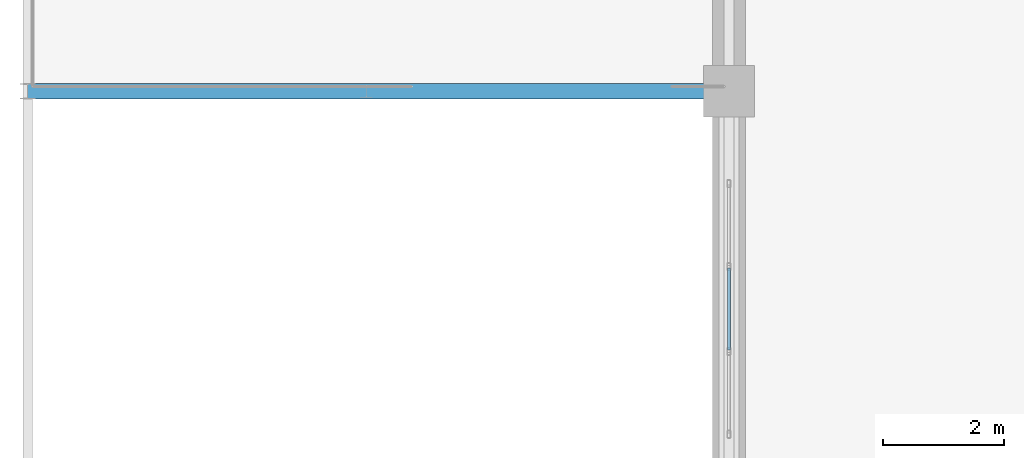
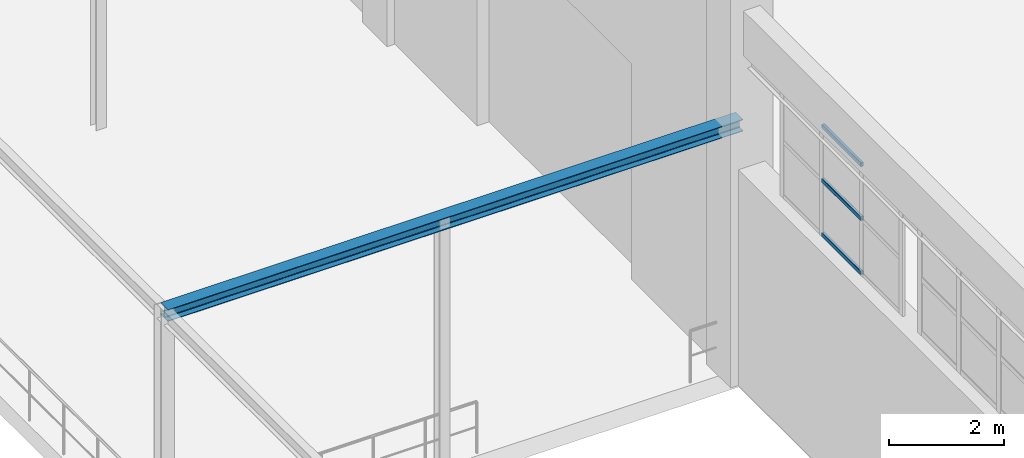
# One storey, part 44 of 97: 3 members, 1 beam, 1 element without a shape of its own.
"""IFC4 building model written with IfcOpenShell, lengths in metres."""

from ifc_helpers import new_model, si_unit, derived_unit, direction, frame, origin, origin_2d, place, context, subcontext, project, spatial, hollow_rectangle, i_section, extrude, material, layer, layer_set, material_profile, profile_set, type_object, element, aggregate, save


model = new_model("IFC4")

# Units and contexts
model_context = context("Model", 3, precision=1e-05, world=origin(), true_north=direction((0.0, 1.0)))
body_context = subcontext(model_context, "Body", "Model", "MODEL_VIEW")
ifc_project = project(units=[si_unit("LENGTHUNIT", "METRE"), si_unit("AREAUNIT", "SQUARE_METRE"), si_unit("VOLUMEUNIT", "CUBIC_METRE"), si_unit("PLANEANGLEUNIT", "RADIAN"), si_unit("MASSUNIT", "GRAM", prefix="KILO"), derived_unit("THERMALTRANSMITTANCEUNIT", [(si_unit("POWERUNIT", "WATT"), 1), (si_unit("LENGTHUNIT", "METRE"), -2), (si_unit("THERMODYNAMICTEMPERATUREUNIT", "KELVIN"), -1)])], contexts=[model_context])

# Site, building, storey
site_placement = place(None, origin())
site = spatial("IfcSite", under=ifc_project, at=site_placement, CompositionType="ELEMENT")
building_placement = place(site_placement, origin())
building = spatial("IfcBuilding", under=site, at=building_placement, Name="Almenara Railside Exhibition Hall", CompositionType="ELEMENT")
storey_placement = place(building_placement, frame((0.0, 0.0, 10.800048828125)))
storey = spatial("IfcBuildingStorey", under=building, at=storey_placement, Name="L02", CompositionType="ELEMENT", Elevation=10.800048828125)

# Curtain wall, members
ifc_material_1 = material(Name="Bronze-anodised aluminium and low-E double glazing", Category="aluminium")
ifc_layer = layer(ifc_material_1, 0.179931640625, Name="Bronze-anodised aluminium and low-E double glazing")
ifc_layer_set = layer_set([ifc_layer], Name="Bronze-anodised aluminium and low-E double glazing")
curtain_wall_type = type_object("IfcCurtainWallType", Name="West Hall Clerestory Curtain Wall 4200x2400", PredefinedType="NOTDEFINED", material=ifc_layer_set)
curtain_wall_placement = place(storey_placement, origin())
curtain_wall = element("IfcCurtainWall", 1, at=curtain_wall_placement, inside=storey, type_object=curtain_wall_type, Name="Curtain wall CW-CL1-018", PredefinedType="NOTDEFINED")
ifc_material_2 = material(Name="Bronze-anodised aluminium", Category="aluminium")
ifc_material_profile_1 = material_profile(ifc_material_2, hollow_rectangle(XDim=0.054931640625, YDim=0.090087890625, WallThickness=0.0029296875, InnerFilletRadius=0.0029296875, OuterFilletRadius=0.006103515625, at=origin_2d()), Name="ALU-TRN 55x90x3")
ifc_profile_set_1 = profile_set([ifc_material_profile_1], Name="Bronze-anodised aluminium")
member_type = type_object("IfcMemberType", Name="Curtain Wall Transom 55x90x3", PredefinedType="USERDEFINED", material=ifc_profile_set_1)
member_1_placement = place(storey_placement, frame((12.0, 103.719482421875, 4.64501953125), z_axis=(0.0, 1.0, 0.0), x_axis=(-1.0, 0.0, 0.0)))
member_1 = element("IfcMember", 2, at=member_1_placement, type_object=member_type, Name="CW-CL1-018 transom 2.1", ObjectType="TRANSOM", PredefinedType="USERDEFINED", context=body_context, shape_type="SweptSolid", body=[
    extrude(hollow_rectangle(XDim=0.054931640625, YDim=0.090087890625, WallThickness=0.0029296875, InnerFilletRadius=0.0029296875, OuterFilletRadius=0.006103515625, at=origin_2d()), origin(), (0.0, 0.0, 1.0), 1.361083984375),
])
member_2_placement = place(storey_placement, frame((12.0, 103.719482421875, 5.800048828125), z_axis=(0.0, 1.0, 0.0), x_axis=(-1.0, 0.0, 0.0)))
member_2 = element("IfcMember", 3, at=member_2_placement, type_object=member_type, Name="CW-CL1-018 transom 2.2", ObjectType="TRANSOM", PredefinedType="USERDEFINED", context=body_context, shape_type="SweptSolid", body=[
    extrude(hollow_rectangle(XDim=0.054931640625, YDim=0.090087890625, WallThickness=0.0029296875, InnerFilletRadius=0.0029296875, OuterFilletRadius=0.006103515625, at=origin_2d()), origin(), (0.0, 0.0, 1.0), 1.361083984375),
])
member_3_placement = place(storey_placement, frame((12.0, 103.719482421875, 6.954833984375), z_axis=(0.0, 1.0, 0.0), x_axis=(-1.0, 0.0, 0.0)))
member_3 = element("IfcMember", 4, at=member_3_placement, type_object=member_type, Name="CW-CL1-018 transom 2.3", ObjectType="TRANSOM", PredefinedType="USERDEFINED", context=body_context, shape_type="SweptSolid", body=[
    extrude(hollow_rectangle(XDim=0.054931640625, YDim=0.090087890625, WallThickness=0.0029296875, InnerFilletRadius=0.0029296875, OuterFilletRadius=0.006103515625, at=origin_2d()), origin(), (0.0, 0.0, 1.0), 1.361083984375),
])
aggregate(curtain_wall, [member_1, member_2, member_3])

# Beam
ifc_material_3 = material(Name="Structural steel S355JR", Category="steel")
ifc_material_profile_2 = material_profile(ifc_material_3, i_section(OverallWidth=0.260009765625, OverallDepth=0.25, WebThickness=0.007568359375, FlangeThickness=0.012451171875, FilletRadius=0.02392578125, at=origin_2d()), Name="HEA 260")
ifc_profile_set_2 = profile_set([ifc_material_profile_2], Name="Structural steel S355JR")
beam_type = type_object("IfcBeamType", Name="Steel Ramp Canopy Beam HEA 260 S355JR", PredefinedType="BEAM", material=ifc_profile_set_2)
beam_placement = place(storey_placement, frame((0.39990234375, 108.0, 5.27490234375), z_axis=(1.0, 0.0, 0.0), x_axis=(0.0, 1.0, 0.0)))
element("IfcBeam", 5, at=beam_placement, inside=storey, type_object=beam_type, Name="Beam 0941", PredefinedType="BEAM", context=body_context, shape_type="SweptSolid", body=[
    extrude(i_section(OverallWidth=0.260009765625, OverallDepth=0.25, WebThickness=0.007568359375, FlangeThickness=0.012451171875, FilletRadius=0.02392578125, at=origin_2d()), origin(), (0.0, 0.0, 1.0), 11.60009765625),
])

save(model, "model.ifc")
